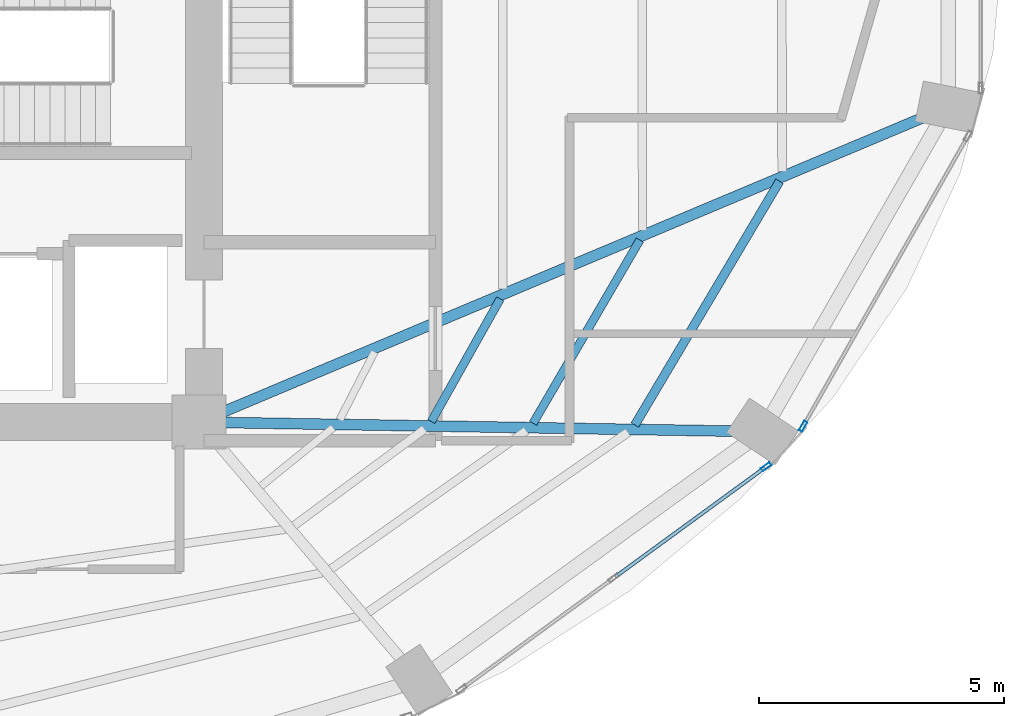
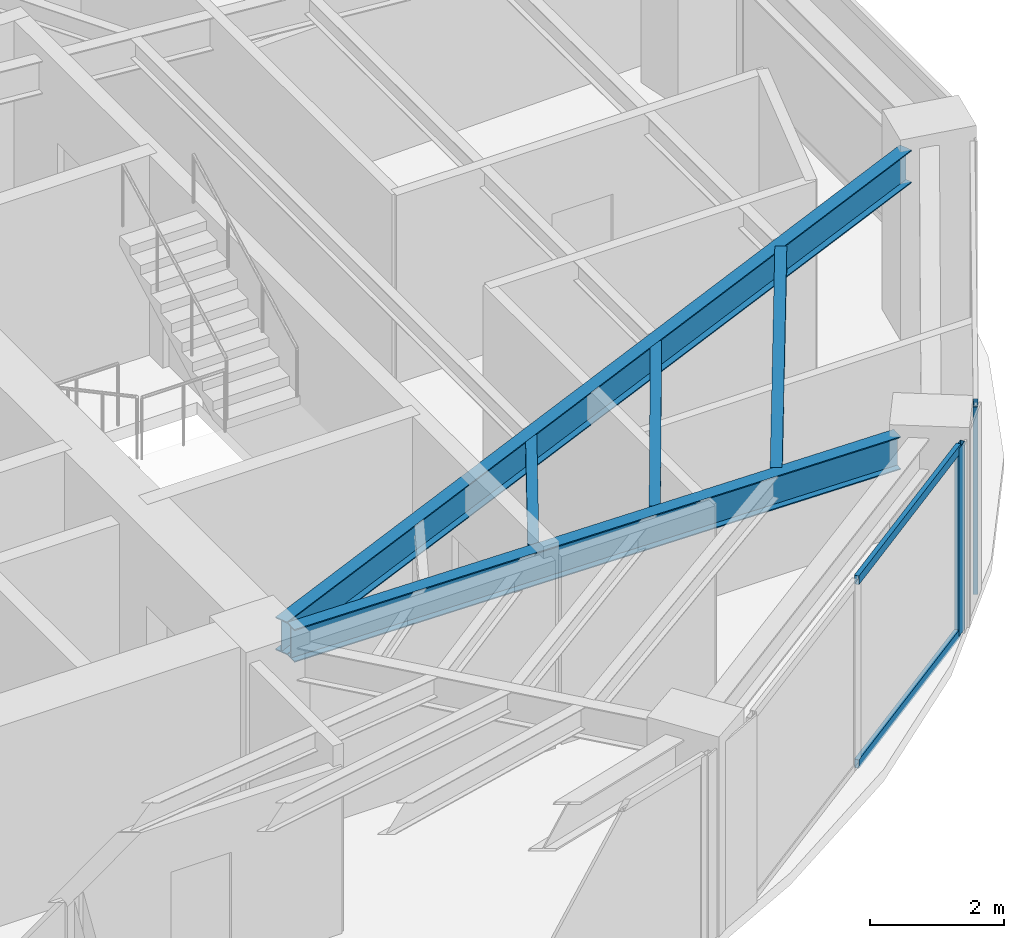
# One storey, part 11 of 23: 5 beams, 4 members, 2 elements without a shape of their own.
"""IFC4 building model written with IfcOpenShell, lengths in metres."""

from ifc_helpers import new_model, si_unit, direction, frame, origin, origin_2d, place, context, subcontext, project, spatial, hollow_rectangle, i_section, extrude, material, layer, layer_set, material_profile, profile_set, type_object, element, aggregate, save


model = new_model("IFC4")

# Units and contexts
model_context = context("Model", 3, precision=1e-05, world=origin(), true_north=direction((0.0, 1.0)))
body_context = subcontext(model_context, "Body", "Model", "MODEL_VIEW")
ifc_project = project(units=[si_unit("LENGTHUNIT", "METRE"), si_unit("AREAUNIT", "SQUARE_METRE"), si_unit("VOLUMEUNIT", "CUBIC_METRE"), si_unit("PLANEANGLEUNIT", "RADIAN"), si_unit("MASSUNIT", "GRAM", prefix="KILO")], contexts=[model_context])

# Site, building, storey
site_placement = place(None, origin())
site = spatial("IfcSite", under=ifc_project, at=site_placement, CompositionType="ELEMENT")
building_placement = place(site_placement, origin())
building = spatial("IfcBuilding", under=site, at=building_placement, Name="Lazwardi Medical Tower", CompositionType="ELEMENT")
storey_placement = place(building_placement, frame((0.0, 0.0, 85.39208984375)))
storey = spatial("IfcBuildingStorey", under=building, at=storey_placement, Name="L21", CompositionType="ELEMENT", Elevation=85.39208984375)

# Beams
ifc_material_1 = material(Name="Steel S355", Category="steel")
ifc_material_profile_1 = material_profile(ifc_material_1, i_section(OverallWidth=0.219970703125, OverallDepth=0.60009765625, WebThickness=0.011962890625, FlangeThickness=0.01904296875, at=origin_2d()), Name="IPE 600")
ifc_profile_set_1 = profile_set([ifc_material_profile_1], Name="Steel S355")
beam_type_1 = type_object("IfcBeamType", Name="BM-RG-W1", PredefinedType="BEAM", material=ifc_profile_set_1)
beam_1_placement = place(storey_placement, frame((56.497802734375, 20.215087890625, 3.1279296875), z_axis=(-0.99985616395, 0.016960289263, 0.0), x_axis=(-0.016960289263, -0.99985616395, 0.0)))
element("IfcBeam", 1, at=beam_1_placement, inside=storey, type_object=beam_type_1, Name="Radial girder RG-02 R03 L21", PredefinedType="BEAM", context=body_context, shape_type="SweptSolid", body=[
    extrude(i_section(OverallWidth=0.219970703125, OverallDepth=0.60009765625, WebThickness=0.011962890625, FlangeThickness=0.01904296875, at=origin_2d()), origin(), (0.0, 0.0, 1.0), 10.3642578125),
])
beam_2_placement = place(storey_placement, frame((60.328369140625, 26.59521484375, 3.1279296875), z_axis=(-0.921775176005, -0.38772480563, 0.0), x_axis=(0.38772480563, -0.921775176005, 0.0)))
element("IfcBeam", 2, at=beam_2_placement, inside=storey, type_object=beam_type_1, Name="Radial girder RG-02 R04 L21", PredefinedType="BEAM", context=body_context, shape_type="SweptSolid", body=[
    extrude(i_section(OverallWidth=0.219970703125, OverallDepth=0.60009765625, WebThickness=0.011962890625, FlangeThickness=0.01904296875, at=origin_2d()), origin(), (0.0, 0.0, 1.0), 15.443359375),
])
ifc_material_profile_2 = material_profile(ifc_material_1, i_section(OverallWidth=0.179931640625, OverallDepth=0.39990234375, WebThickness=0.008544921875, FlangeThickness=0.013427734375, at=origin_2d()), Name="IPE 400")
ifc_profile_set_2 = profile_set([ifc_material_profile_2], Name="Steel S355")
beam_type_2 = type_object("IfcBeamType", Name="BM-SJ-01", PredefinedType="JOIST", material=ifc_profile_set_2)
beam_3_placement = place(storey_placement, frame((54.47900390625, 20.340576171875, 3.22802734375), z_axis=(0.510499691073, 0.859877936346, 0.0), x_axis=(-0.859877936346, 0.510499691073, 0.0)))
element("IfcBeam", 3, at=beam_3_placement, inside=storey, type_object=beam_type_2, Name="Secondary joist SJ-01 R1 B03 L21", PredefinedType="JOIST", context=body_context, shape_type="SweptSolid", body=[
    extrude(i_section(OverallWidth=0.179931640625, OverallDepth=0.39990234375, WebThickness=0.008544921875, FlangeThickness=0.013427734375, at=origin_2d()), origin(), (0.0, 0.0, 1.0), 5.776123046875),
])
ifc_material_profile_3 = material_profile(ifc_material_1, i_section(OverallWidth=0.169921875, OverallDepth=0.360107421875, WebThickness=0.008056640625, FlangeThickness=0.0126953125, at=origin_2d()), Name="IPE 360")
ifc_profile_set_3 = profile_set([ifc_material_profile_3], Name="Steel S355")
beam_type_3 = type_object("IfcBeamType", Name="BM-SJ-02", PredefinedType="JOIST", material=ifc_profile_set_3)
beam_4_placement = place(storey_placement, frame((52.405517578125, 20.376220703125, 3.247802734375), z_axis=(0.503544274258, 0.86396942299, 0.0), x_axis=(-0.86396942299, 0.503544274258, 0.0)))
element("IfcBeam", 4, at=beam_4_placement, inside=storey, type_object=beam_type_3, Name="Secondary joist SJ-02 R2 B03 L21", PredefinedType="JOIST", context=body_context, shape_type="SweptSolid", body=[
    extrude(i_section(OverallWidth=0.169921875, OverallDepth=0.360107421875, WebThickness=0.008056640625, FlangeThickness=0.0126953125, at=origin_2d()), origin(), (0.0, 0.0, 1.0), 4.321044921875),
])
beam_5_placement = place(storey_placement, frame((50.33154296875, 20.412109375, 3.247802734375), z_axis=(0.489860824278, 0.871800649711, 0.0), x_axis=(-0.871800649711, 0.489860824278, 0.0)))
element("IfcBeam", 5, at=beam_5_placement, inside=storey, type_object=beam_type_3, Name="Secondary joist SJ-02 R3 B03 L21", PredefinedType="JOIST", context=body_context, shape_type="SweptSolid", body=[
    extrude(i_section(OverallWidth=0.169921875, OverallDepth=0.360107421875, WebThickness=0.008056640625, FlangeThickness=0.0126953125, at=origin_2d()), origin(), (0.0, 0.0, 1.0), 2.8662109375),
])

# Curtain wall, member
ifc_material_2 = material(Name="Anodised bronze aluminium and solar control glazing", Category="aluminium")
ifc_layer = layer(ifc_material_2, 0.195068359375)
ifc_layer_set = layer_set([ifc_layer], Name="Anodised bronze aluminium and solar control glazing")
curtain_wall_type = type_object("IfcCurtainWallType", Name="CW-SYS-03", PredefinedType="NOTDEFINED", material=ifc_layer_set)
curtain_wall_1_placement = place(storey_placement, origin())
curtain_wall_1 = element("IfcCurtainWall", 6, at=curtain_wall_1_placement, inside=storey, type_object=curtain_wall_type, Name="L21 Unitised bronze curtain wall CW-03", PredefinedType="NOTDEFINED")
ifc_material_3 = material(Name="Anodised bronze aluminium", Category="aluminium")
ifc_material_profile_4 = material_profile(ifc_material_3, hollow_rectangle(XDim=0.074951171875, YDim=0.219970703125, WallThickness=0.00390625, at=origin_2d()), Name="ALU-MULLION 220x75x4")
ifc_profile_set_4 = profile_set([ifc_material_profile_4], Name="Anodised bronze aluminium")
member_type_1 = type_object("IfcMemberType", Name="CW-MUL-01", PredefinedType="MULLION", material=ifc_profile_set_4)
member_1_placement = place(storey_placement, frame((57.155029296875, 19.4912109375, 0.0), z_axis=(0.0, 0.0, 1.0), x_axis=(-0.589530882802, 0.807745837639, 0.0)))
member_1 = element("IfcMember", 7, at=member_1_placement, type_object=member_type_1, Name="CW-03 mullion 3", PredefinedType="MULLION", context=body_context, shape_type="SweptSolid", body=[
    extrude(hollow_rectangle(XDim=0.074951171875, YDim=0.219970703125, WallThickness=0.00390625, at=origin_2d()), origin(), (0.0, 0.0, 1.0), 3.427978515625),
])

curtain_wall_2_placement = place(storey_placement, origin())
curtain_wall_2 = element("IfcCurtainWall", 8, at=curtain_wall_2_placement, inside=storey, type_object=curtain_wall_type, Name="L21 Unitised bronze curtain wall CW-03", PredefinedType="NOTDEFINED")
member_2_placement = place(storey_placement, frame((57.9072265625, 20.314208984375, 0.0), z_axis=(0.0, 0.0, 1.0), x_axis=(-0.869687265712, 0.493603140041, 0.0)))
member_2 = element("IfcMember", 9, at=member_2_placement, type_object=member_type_1, Name="CW-03 mullion 1", PredefinedType="MULLION", context=body_context, shape_type="SweptSolid", body=[
    extrude(hollow_rectangle(XDim=0.074951171875, YDim=0.219970703125, WallThickness=0.00390625, at=origin_2d()), origin(), (0.0, 0.0, 1.0), 3.427978515625),
])
aggregate(curtain_wall_2, [member_2])

# Member
ifc_material_profile_5 = material_profile(ifc_material_3, hollow_rectangle(XDim=0.074951171875, YDim=0.159912109375, WallThickness=0.00390625, at=origin_2d()), Name="ALU-TRANSOM 160x75x4")
ifc_profile_set_5 = profile_set([ifc_material_profile_5], Name="Anodised bronze aluminium")
member_type_2 = type_object("IfcMemberType", Name="CW-TRN-01", PredefinedType="USERDEFINED", material=ifc_profile_set_5)
member_3_placement = place(storey_placement, frame((54.081298828125, 17.247802734375, 0.037353515625), z_axis=(0.807731734271, 0.589550206049, 0.0), x_axis=(-0.589550206049, 0.807731734271, 0.0)))
member_3 = element("IfcMember", 10, at=member_3_placement, type_object=member_type_2, Name="CW-03 transom 2.1", ObjectType="TRANSOM", PredefinedType="USERDEFINED", context=body_context, shape_type="SweptSolid", body=[
    extrude(hollow_rectangle(XDim=0.074951171875, YDim=0.159912109375, WallThickness=0.00390625, at=origin_2d()), origin(), (0.0, 0.0, 1.0), 3.767578125),
])

member_4_placement = place(storey_placement, frame((54.081298828125, 17.247802734375, 3.390380859375), z_axis=(0.807731734271, 0.589550206049, 0.0), x_axis=(-0.589550206049, 0.807731734271, 0.0)))
member_4 = element("IfcMember", 11, at=member_4_placement, type_object=member_type_2, Name="CW-03 transom 2.2", ObjectType="TRANSOM", PredefinedType="USERDEFINED", context=body_context, shape_type="SweptSolid", body=[
    extrude(hollow_rectangle(XDim=0.074951171875, YDim=0.159912109375, WallThickness=0.00390625, at=origin_2d()), origin(), (0.0, 0.0, 1.0), 3.767578125),
])

aggregate(curtain_wall_1, [member_1, member_3, member_4])

save(model, "model.ifc")
